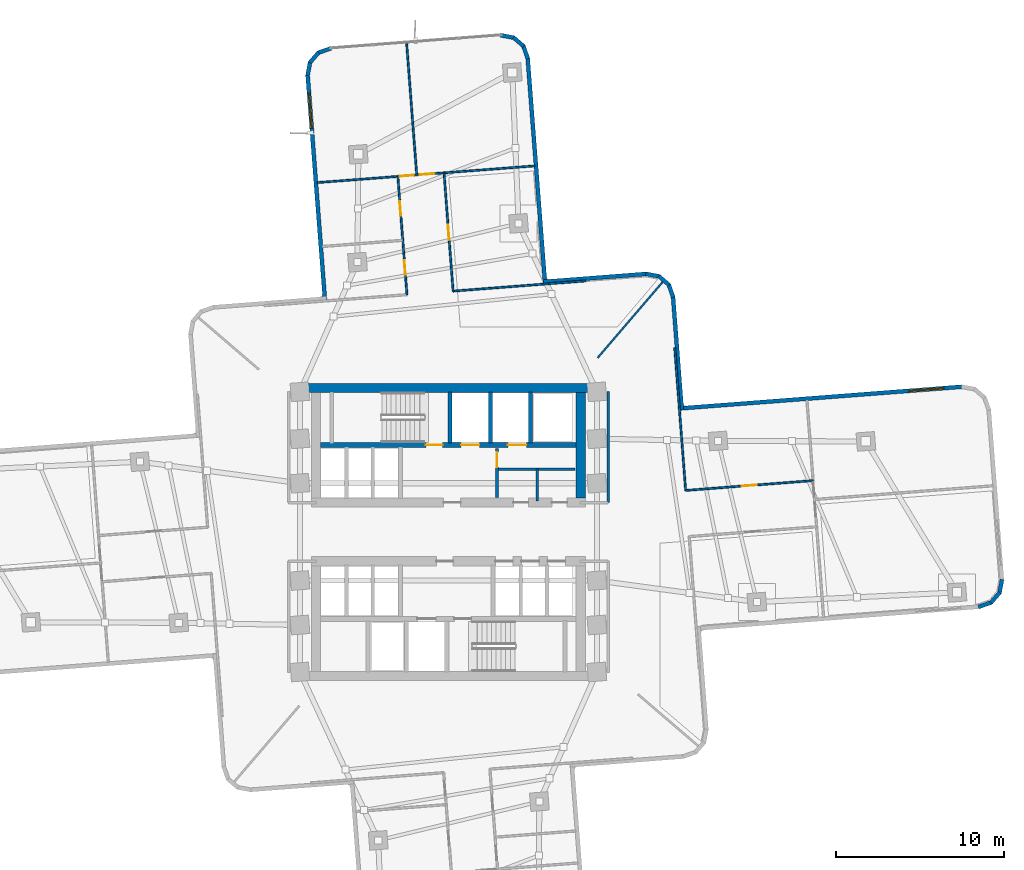
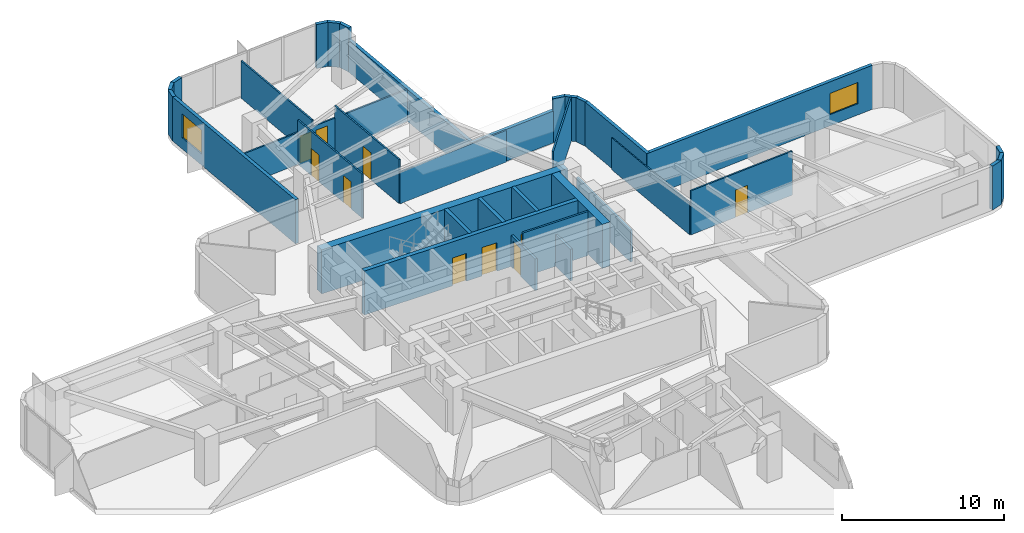
# One storey, part 10 of 15: 35 walls, 10 doors, 2 windows, 12 openings.
"""IFC4 building model written with IfcOpenShell, lengths in metres."""

from ifc_helpers import new_model, si_unit, direction, frame, frame_2d, origin, place, context, subcontext, project, spatial, rectangle, extrude, material, layer, layer_set, type_object, element, fill, save


model = new_model("IFC4")

# Units and contexts
model_context = context("Model", 3, precision=1e-05, world=origin(), true_north=direction((0.0, 1.0)))
body_context = subcontext(model_context, "Body", "Model", "MODEL_VIEW")
ifc_project = project(units=[si_unit("LENGTHUNIT", "METRE"), si_unit("AREAUNIT", "SQUARE_METRE"), si_unit("VOLUMEUNIT", "CUBIC_METRE"), si_unit("PLANEANGLEUNIT", "RADIAN"), si_unit("MASSUNIT", "GRAM", prefix="KILO")], contexts=[model_context])

# Site, building, storey
site_placement = place(None, origin())
site = spatial("IfcSite", under=ifc_project, at=site_placement, CompositionType="ELEMENT")
building_placement = place(site_placement, origin())
building = spatial("IfcBuilding", under=site, at=building_placement, Name="Solmarez Civic Tower", CompositionType="ELEMENT")
storey_placement = place(building_placement, frame((0.0, 0.0, 60.47998046875)))
storey = spatial("IfcBuildingStorey", under=building, at=storey_placement, Name="L15", CompositionType="ELEMENT", Elevation=60.47998046875)

# Walls
ifc_material_1 = material(Name="Concrete C60/75", Category="concrete")
ifc_layer_1 = layer(ifc_material_1, 0.550048828125)
ifc_layer_set_1 = layer_set([ifc_layer_1], Name="Concrete C60/75")
wall_type_1 = type_object("IfcWallType", Name="WALL-CORE-550", PredefinedType="SHEAR", material=ifc_layer_set_1)
wall_1_placement = place(storey_placement, frame((-8.780029296875, 8.5849609375, 0.0), z_axis=(0.0, 0.0, 1.0), x_axis=(1.0, 0.0, 0.0)))
element("IfcWall", 1, at=wall_1_placement, inside=storey, type_object=wall_type_1, Name="L15 Split-Core Structural Wall NCW-N-L15", PredefinedType="SHEAR", context=body_context, shape_type="SweptSolid", body=[
    extrude(rectangle(XDim=17.56005859375, YDim=0.550048828125, at=frame_2d((8.780029296875, 0.0))), origin(), (0.0, 0.0, 1.0), 3.320068359375),
])
wall_2_placement = place(storey_placement, frame((7.89501953125, 8.31005859375, 0.0), z_axis=(0.0, 0.0, 1.0), x_axis=(0.0, -1.0, 0.0)))
element("IfcWall", 2, at=wall_2_placement, inside=storey, type_object=wall_type_1, Name="L15 Split-Core Structural Wall NCW-E-L15", PredefinedType="SHEAR", context=body_context, shape_type="SweptSolid", body=[
    extrude(rectangle(XDim=6.28515625, YDim=0.550048828125, at=frame_2d((3.142578125, 0.0))), origin(), (0.0, 0.0, 1.0), 3.320068359375),
])

# Wall, opening, window
ifc_material_2 = material(Name="Precast concrete C40/50", Category="concrete")
ifc_layer_2 = layer(ifc_material_2, 0.239990234375)
ifc_layer_set_2 = layer_set([ifc_layer_2], Name="Precast concrete C40/50")
wall_type_2 = type_object("IfcWallType", Name="WALL-EXT-240", PredefinedType="SOLIDWALL", material=ifc_layer_set_2)
wall_3_placement = place(storey_placement, frame((-7.362060546875, 13.81005859375, 0.0), z_axis=(0.0, 0.0, 1.0), x_axis=(-0.076653550573, 0.997057788287, 0.0)))
wall_3 = element("IfcWall", 3, at=wall_3_placement, inside=storey, type_object=wall_type_2, Name="L15 Exterior Precast Wall 20", PredefinedType="SOLIDWALL", context=body_context, shape_type="SweptSolid", body=[
    extrude(rectangle(XDim=13.4755859375, YDim=0.239990234375, at=frame_2d((6.73779296875, 0.0))), origin(), (0.0, 0.0, 1.0), 3.320068359375),
])
opening_1_placement = place(wall_3_placement, frame((10.27587890625, 0.0, 0.85009765625)))
opening_1 = element("IfcOpeningElement", 4, at=opening_1_placement, cuts=wall_3, Name="Opening W-07", PredefinedType="OPENING", context=body_context, shape_type="SweptSolid", body=[
    extrude(rectangle(XDim=2.10009765625, YDim=1.800048828125, at=frame_2d((1.050048828125, 0.89990234375))), frame((0.0, 0.1298828125, 0.0), z_axis=(0.0, -1.0, 0.0), x_axis=(1.0, 0.0, 0.0)), (0.0, 0.0, 1.0), 0.260009765625),
])
ifc_material_3 = material(Name="Solar Control Bronze-Tinted Insulating Glass", Category="glass")
window_type_1 = type_object("IfcWindowType", Name="WIN-2100X1800", PartitioningType="SINGLE_PANEL", PredefinedType="WINDOW", material=ifc_material_3)
window_1_placement = place(opening_1_placement, origin())
window_1 = element("IfcWindow", 5, at=window_1_placement, inside=storey, type_object=window_type_1, Name="L15 Exterior Facade Window 20", OverallHeight=1.800048828125, OverallWidth=2.10009765625, PartitioningType="SINGLE_PANEL", PredefinedType="WINDOW", context=body_context, shape_type="SweptSolid", body=[
    extrude(rectangle(XDim=2.10009765625, YDim=1.800048828125, at=frame_2d((1.050048828125, 0.89990234375))), frame((0.0, 0.030029296875, 0.0), z_axis=(0.0, -1.0, 0.0), x_axis=(1.0, 0.0, 0.0)), (0.0, 0.0, 1.0), 0.06005859375),
])
fill(opening_1, window_1)

# Walls
wall_4_placement = place(storey_placement, frame((-8.39794921875, 27.196044921875, 0.0), z_axis=(0.0, 0.0, 1.0), x_axis=(0.184110958028, 0.982905466021, 0.0)))
element("IfcWall", 6, at=wall_4_placement, inside=storey, type_object=wall_type_2, Name="L15 Exterior Precast Wall 21", PredefinedType="SOLIDWALL", context=body_context, shape_type="SweptSolid", body=[
    extrude(rectangle(XDim=0.830078125, YDim=0.239990234375, at=frame_2d((0.4150390625, 0.0))), origin(), (0.0, 0.0, 1.0), 3.320068359375),
])
wall_5_placement = place(storey_placement, frame((-8.26611328125, 27.968017578125, 0.0), z_axis=(0.0, 0.0, 1.0), x_axis=(0.65106299761, 0.759023697352, 0.0)))
element("IfcWall", 7, at=wall_5_placement, inside=storey, type_object=wall_type_2, Name="L15 Exterior Precast Wall 22", PredefinedType="SOLIDWALL", context=body_context, shape_type="SweptSolid", body=[
    extrude(rectangle(XDim=0.814208984375, YDim=0.239990234375, at=frame_2d((0.4072265625, 0.0))), origin(), (0.0, 0.0, 1.0), 3.320068359375),
])
wall_6_placement = place(storey_placement, frame((-7.77587890625, 28.55908203125, 0.0), z_axis=(0.0, 0.0, 1.0), x_axis=(0.943293653353, 0.331959460694, 0.0)))
element("IfcWall", 8, at=wall_6_placement, inside=storey, type_object=wall_type_2, Name="L15 Exterior Precast Wall 23", PredefinedType="SOLIDWALL", context=body_context, shape_type="SweptSolid", body=[
    extrude(rectangle(XDim=0.8310546875, YDim=0.239990234375, at=frame_2d((0.41552734375, 0.0))), origin(), (0.0, 0.0, 1.0), 3.320068359375),
])
wall_7_placement = place(storey_placement, frame((3.096923828125, 29.612060546875, 0.0), z_axis=(0.0, 0.0, 1.0), x_axis=(0.982688894005, -0.185263427582, 0.0)))
element("IfcWall", 9, at=wall_7_placement, inside=storey, type_object=wall_type_2, Name="L15 Exterior Precast Wall 25", PredefinedType="SOLIDWALL", context=body_context, shape_type="SweptSolid", body=[
    extrude(rectangle(XDim=0.83154296875, YDim=0.239990234375, at=frame_2d((0.415771484375, 0.0))), origin(), (0.0, 0.0, 1.0), 3.320068359375),
])
wall_8_placement = place(storey_placement, frame((3.8701171875, 29.47900390625, 0.0), z_axis=(0.0, 0.0, 1.0), x_axis=(0.759616636226, -0.650371098657, 0.0)))
element("IfcWall", 10, at=wall_8_placement, inside=storey, type_object=wall_type_2, Name="L15 Exterior Precast Wall 26", PredefinedType="SOLIDWALL", context=body_context, shape_type="SweptSolid", body=[
    extrude(rectangle(XDim=0.8134765625, YDim=0.239990234375, at=frame_2d((0.40673828125, 0.0))), origin(), (0.0, 0.0, 1.0), 3.320068359375),
])
wall_9_placement = place(storey_placement, frame((4.4609375, 28.989990234375, 0.0), z_axis=(0.0, 0.0, 1.0), x_axis=(0.331174926, -0.943569376564, 0.0)))
element("IfcWall", 11, at=wall_9_placement, inside=storey, type_object=wall_type_2, Name="L15 Exterior Precast Wall 27", PredefinedType="SOLIDWALL", context=body_context, shape_type="SweptSolid", body=[
    extrude(rectangle(XDim=0.830810546875, YDim=0.239990234375, at=frame_2d((0.41552734375, 0.0))), origin(), (0.0, 0.0, 1.0), 3.320068359375),
])
wall_10_placement = place(storey_placement, frame((4.72607421875, 28.2548828125, 0.0), z_axis=(0.0, 0.0, 1.0), x_axis=(0.076726978627, -0.997052140437, 0.0)))
element("IfcWall", 12, at=wall_10_placement, inside=storey, type_object=wall_type_2, Name="L15 Exterior Precast Wall 28", PredefinedType="SOLIDWALL", context=body_context, shape_type="SweptSolid", body=[
    extrude(rectangle(XDim=13.4755859375, YDim=0.239990234375, at=frame_2d((6.73779296875, 0.0))), origin(), (0.0, 0.0, 1.0), 2.401123046875),
])
wall_11_placement = place(storey_placement, frame((5.656982421875, 14.907958984375, 0.0), z_axis=(0.0, 0.0, 1.0), x_axis=(0.997048202977, 0.076778128006, 0.0)))
element("IfcWall", 13, at=wall_11_placement, inside=storey, type_object=wall_type_2, Name="L15 Exterior Precast Wall 31", PredefinedType="SOLIDWALL", context=body_context, shape_type="SweptSolid", body=[
    extrude(rectangle(XDim=6.17529296875, YDim=0.239990234375, at=frame_2d((3.087646484375, 0.0))), origin(), (0.0, 0.0, 1.0), 2.401123046875),
])
wall_12_placement = place(storey_placement, frame((11.763916015625, 15.385009765625, 0.0), z_axis=(0.0, 0.0, 1.0), x_axis=(0.982688894005, -0.185263427582, 0.0)))
element("IfcWall", 14, at=wall_12_placement, inside=storey, type_object=wall_type_2, Name="L15 Exterior Precast Wall 32", PredefinedType="SOLIDWALL", context=body_context, shape_type="SweptSolid", body=[
    extrude(rectangle(XDim=0.83154296875, YDim=0.239990234375, at=frame_2d((0.415771484375, 0.0))), origin(), (0.0, 0.0, 1.0), 3.320068359375),
])
wall_13_placement = place(storey_placement, frame((12.537109375, 15.251953125, 0.0), z_axis=(0.0, 0.0, 1.0), x_axis=(0.759616636226, -0.650371098657, 0.0)))
element("IfcWall", 15, at=wall_13_placement, inside=storey, type_object=wall_type_2, Name="L15 Exterior Precast Wall 33", PredefinedType="SOLIDWALL", context=body_context, shape_type="SweptSolid", body=[
    extrude(rectangle(XDim=0.8134765625, YDim=0.239990234375, at=frame_2d((0.40673828125, 0.0))), origin(), (0.0, 0.0, 1.0), 3.320068359375),
])
wall_14_placement = place(storey_placement, frame((13.1279296875, 14.762939453125, 0.0), z_axis=(0.0, 0.0, 1.0), x_axis=(0.331174926, -0.943569376564, 0.0)))
element("IfcWall", 16, at=wall_14_placement, inside=storey, type_object=wall_type_2, Name="L15 Exterior Precast Wall 34", PredefinedType="SOLIDWALL", context=body_context, shape_type="SweptSolid", body=[
    extrude(rectangle(XDim=0.830810546875, YDim=0.239990234375, at=frame_2d((0.41552734375, 0.0))), origin(), (0.0, 0.0, 1.0), 3.320068359375),
])
wall_15_placement = place(storey_placement, frame((13.39306640625, 14.028076171875, 0.0), z_axis=(0.0, 0.0, 1.0), x_axis=(0.076754366588, -0.997050032451, 0.0)))
element("IfcWall", 17, at=wall_15_placement, inside=storey, type_object=wall_type_2, Name="L15 Exterior Precast Wall 35", PredefinedType="SOLIDWALL", context=body_context, shape_type="SweptSolid", body=[
    extrude(rectangle(XDim=6.775146484375, YDim=0.239990234375, at=frame_2d((3.3876953125, 0.0))), origin(), (0.0, 0.0, 1.0), 3.320068359375),
])

# Wall, opening, window
wall_16_placement = place(storey_placement, frame((13.81005859375, 7.362060546875, 0.0), z_axis=(0.0, 0.0, 1.0), x_axis=(0.997055761943, 0.076679903335, 0.0)))
wall_16 = element("IfcWall", 18, at=wall_16_placement, inside=storey, type_object=wall_type_2, Name="L15 Exterior Precast Wall 38", PredefinedType="SOLIDWALL", context=body_context, shape_type="SweptSolid", body=[
    extrude(rectangle(XDim=16.874755859375, YDim=0.239990234375, at=frame_2d((8.4375, 0.0))), origin(), (0.0, 0.0, 1.0), 3.320068359375),
])
opening_2_placement = place(wall_16_placement, frame((13.675048828125, 0.0, 0.85009765625)))
opening_2 = element("IfcOpeningElement", 19, at=opening_2_placement, cuts=wall_16, Name="Opening W-11", PredefinedType="OPENING", context=body_context, shape_type="SweptSolid", body=[
    extrude(rectangle(XDim=2.10009765625, YDim=1.60009765625, at=frame_2d((1.050048828125, 0.800048828125))), frame((0.0, 0.1298828125, 0.0), z_axis=(0.0, -1.0, 0.0), x_axis=(1.0, 0.0, 0.0)), (0.0, 0.0, 1.0), 0.260009765625),
])
window_type_2 = type_object("IfcWindowType", Name="WIN-2100X1600", PartitioningType="SINGLE_PANEL", PredefinedType="WINDOW", material=ifc_material_3)
window_2_placement = place(opening_2_placement, origin())
window_2 = element("IfcWindow", 20, at=window_2_placement, inside=storey, type_object=window_type_2, Name="L15 Exterior Facade Window 38", OverallHeight=1.60009765625, OverallWidth=2.10009765625, PartitioningType="SINGLE_PANEL", PredefinedType="WINDOW", context=body_context, shape_type="SweptSolid", body=[
    extrude(rectangle(XDim=2.10009765625, YDim=1.60009765625, at=frame_2d((1.050048828125, 0.800048828125))), frame((0.0, 0.030029296875, 0.0), z_axis=(0.0, -1.0, 0.0), x_axis=(1.0, 0.0, 0.0)), (0.0, 0.0, 1.0), 0.06005859375),
])
fill(opening_2, window_2)

# Walls
wall_17_placement = place(storey_placement, frame((33.001953125, -2.8359375, 0.0), z_axis=(0.0, 0.0, 1.0), x_axis=(-0.185263427582, -0.982688894005, 0.0)))
element("IfcWall", 21, at=wall_17_placement, inside=storey, type_object=wall_type_2, Name="L15 Exterior Precast Wall 43", PredefinedType="SOLIDWALL", context=body_context, shape_type="SweptSolid", body=[
    extrude(rectangle(XDim=0.83154296875, YDim=0.239990234375, at=frame_2d((0.415771484375, 0.0))), origin(), (0.0, 0.0, 1.0), 3.320068359375),
])
wall_18_placement = place(storey_placement, frame((32.868896484375, -3.60888671875, 0.0), z_axis=(0.0, 0.0, 1.0), x_axis=(-0.650049601962, -0.759891778471, 0.0)))
element("IfcWall", 22, at=wall_18_placement, inside=storey, type_object=wall_type_2, Name="L15 Exterior Precast Wall 44", PredefinedType="SOLIDWALL", context=body_context, shape_type="SweptSolid", body=[
    extrude(rectangle(XDim=0.8134765625, YDim=0.239990234375, at=frame_2d((0.40673828125, 0.0))), origin(), (0.0, 0.0, 1.0), 3.320068359375),
])
wall_19_placement = place(storey_placement, frame((32.3798828125, -4.199951171875, 0.0), z_axis=(0.0, 0.0, 1.0), x_axis=(-0.943569376564, -0.331174926, 0.0)))
element("IfcWall", 23, at=wall_19_placement, inside=storey, type_object=wall_type_2, Name="L15 Exterior Precast Wall 45", PredefinedType="SOLIDWALL", context=body_context, shape_type="SweptSolid", body=[
    extrude(rectangle(XDim=0.830810546875, YDim=0.239990234375, at=frame_2d((0.41552734375, 0.0))), origin(), (0.0, 0.0, 1.0), 3.320068359375),
])
ifc_material_4 = material(Name="Gypsum Board Acoustic Steel-Stud Partition", Category="steel")
ifc_layer_3 = layer(ifc_material_4, 0.14990234375)
ifc_layer_set_3 = layer_set([ifc_layer_3], Name="Gypsum Board Acoustic Steel-Stud Partition")
wall_type_3 = type_object("IfcWallType", Name="WALL-INT-FIRE-150", PredefinedType="PARTITIONING", material=ifc_layer_set_3)
wall_20_placement = place(storey_placement, frame((9.52001953125, 1.75, 0.0), z_axis=(0.0, 0.0, 1.0), x_axis=(0.0, 1.0, 0.0)))
element("IfcWall", 24, at=wall_20_placement, inside=storey, type_object=wall_type_3, Name="L15 Interior Partition CHW-L15-EN1", PredefinedType="PARTITIONING", context=body_context, shape_type="SweptSolid", body=[
    extrude(rectangle(XDim=6.6298828125, YDim=0.14990234375, at=frame_2d((3.31494140625, 0.0))), origin(), (0.0, 0.0, 1.0), 2.401123046875),
])
ifc_layer_4 = layer(ifc_material_4, 0.110107421875)
ifc_layer_set_4 = layer_set([ifc_layer_4], Name="Gypsum Board Acoustic Steel-Stud Partition")
wall_type_4 = type_object("IfcWallType", Name="WALL-INT-PART-110", PredefinedType="PARTITIONING", material=ifc_layer_set_4)
wall_21_placement = place(storey_placement, frame((8.89697265625, 10.3798828125, 0.0), z_axis=(0.0, 0.0, 1.0), x_axis=(0.650777932984, 0.759268122564, 0.0)))
element("IfcWall", 25, at=wall_21_placement, inside=storey, type_object=wall_type_4, Name="L15 Interior Partition PT-L15-QDIV-1", PredefinedType="PARTITIONING", context=body_context, shape_type="SweptSolid", body=[
    extrude(rectangle(XDim=5.983642578125, YDim=0.110107421875, at=frame_2d((2.99169921875, 0.0))), origin(), (0.0, 0.0, 1.0), 3.320068359375),
])
wall_22_placement = place(storey_placement, frame((14.14306640625, 2.4619140625, 0.0), z_axis=(0.0, 0.0, 1.0), x_axis=(-0.076722700704, 0.997052469631, 0.0)))
element("IfcWall", 26, at=wall_22_placement, inside=storey, type_object=wall_type_4, Name="L15 Interior Partition PT-L15-E-EFL", PredefinedType="PARTITIONING", context=body_context, shape_type="SweptSolid", body=[
    extrude(rectangle(XDim=8.55029296875, YDim=0.110107421875, at=frame_2d((4.275146484375, 0.0))), origin(), (0.0, 0.0, 1.0), 2.401123046875),
])

# Wall, opening, door
wall_23_placement = place(storey_placement, frame((21.739990234375, 3.056884765625, 0.0), z_axis=(0.0, 0.0, 1.0), x_axis=(-0.997049394946, -0.076762647418, 0.0)))
wall_23 = element("IfcWall", 27, at=wall_23_placement, inside=storey, type_object=wall_type_4, Name="L15 Interior Partition PT-L15-E-SL", PredefinedType="PARTITIONING", context=body_context, shape_type="SweptSolid", body=[
    extrude(rectangle(XDim=7.620361328125, YDim=0.110107421875, at=frame_2d((3.81005859375, 0.0))), origin(), (0.0, 0.0, 1.0), 3.320068359375),
])
opening_3_placement = place(wall_23_placement, frame((3.360107421875, 0.0, 0.0)))
opening_3 = element("IfcOpeningElement", 28, at=opening_3_placement, cuts=wall_23, Name="Opening D-08", PredefinedType="OPENING", context=body_context, shape_type="SweptSolid", body=[
    extrude(rectangle(XDim=0.89990234375, YDim=2.06005859375, at=frame_2d((0.449951171875, 1.030029296875))), frame((0.0, 0.06494140625, 0.0), z_axis=(0.0, -1.0, 0.0), x_axis=(1.0, 0.0, 0.0)), (0.0, 0.0, 1.0), 0.130126953125),
])
ifc_material_5 = material(Name="Solid-Core Timber Office Door", Category="wood")
door_type_1 = type_object("IfcDoorType", Name="DOOR-INT-900", OperationType="NOTDEFINED", PredefinedType="DOOR", material=ifc_material_5)
door_1_placement = place(opening_3_placement, origin())
door_1 = element("IfcDoor", 29, at=door_1_placement, inside=storey, type_object=door_type_1, Name="L15 Staff Dining Canteen East Door", OperationType="SINGLE_SWING_LEFT", OverallHeight=2.06005859375, OverallWidth=0.89990234375, PredefinedType="DOOR", context=body_context, shape_type="SweptSolid", body=[
    extrude(rectangle(XDim=0.89990234375, YDim=2.06005859375, at=frame_2d((0.449951171875, 1.030029296875))), frame((0.0, 0.02490234375, 0.0), z_axis=(0.0, -1.0, 0.0), x_axis=(1.0, 0.0, 0.0)), (0.0, 0.0, 1.0), 0.050048828125),
])
fill(opening_3, door_1)

# Wall
wall_24_placement = place(storey_placement, frame((8.197021484375, 14.962890625, 0.0), z_axis=(0.0, 0.0, 1.0), x_axis=(-0.99705358226, -0.076708240121, 0.0)))
element("IfcWall", 30, at=wall_24_placement, inside=storey, type_object=wall_type_4, Name="L15 Interior Partition PT-L15-N-EFR", PredefinedType="PARTITIONING", context=body_context, shape_type="SweptSolid", body=[
    extrude(rectangle(XDim=7.950439453125, YDim=0.110107421875, at=frame_2d((3.97509765625, 0.0))), origin(), (0.0, 0.0, 1.0), 2.401123046875),
])

# Wall, openings, doors
wall_25_placement = place(storey_placement, frame((-3.014892578125, 21.19091796875, 0.0), z_axis=(0.0, 0.0, 1.0), x_axis=(0.076802129822, -0.997046354416, 0.0)))
wall_25 = element("IfcWall", 31, at=wall_25_placement, inside=storey, type_object=wall_type_4, Name="L15 Interior Partition PT-L15-N-SL", PredefinedType="PARTITIONING", context=body_context, shape_type="SweptSolid", body=[
    extrude(rectangle(XDim=7.06982421875, YDim=0.110107421875, at=frame_2d((3.534912109375, 0.0))), origin(), (0.0, 0.0, 1.0), 3.320068359375),
])
opening_4_placement = place(wall_25_placement, frame((5.014892578125, 0.0, 0.0)))
opening_4 = element("IfcOpeningElement", 32, at=opening_4_placement, cuts=wall_25, Name="Opening D-14", PredefinedType="OPENING", context=body_context, shape_type="SweptSolid", body=[
    extrude(rectangle(XDim=0.860107421875, YDim=2.0400390625, at=frame_2d((0.43017578125, 1.02001953125))), frame((0.0, 0.06494140625, 0.0), z_axis=(0.0, -1.0, 0.0), x_axis=(1.0, 0.0, 0.0)), (0.0, 0.0, 1.0), 0.130126953125),
])
opening_5_placement = place(wall_25_placement, frame((1.47998046875, 0.0, 0.0)))
opening_5 = element("IfcOpeningElement", 33, at=opening_5_placement, cuts=wall_25, Name="Opening D-14", PredefinedType="OPENING", context=body_context, shape_type="SweptSolid", body=[
    extrude(rectangle(XDim=0.860107421875, YDim=2.0400390625, at=frame_2d((0.43017578125, 1.02001953125))), frame((0.0, 0.06494140625, 0.0), z_axis=(0.0, -1.0, 0.0), x_axis=(1.0, 0.0, 0.0)), (0.0, 0.0, 1.0), 0.130126953125),
])
ifc_material_6 = material(Name="Timber Storage and Pantry Door", Category="wood")
door_type_2 = type_object("IfcDoorType", Name="DOOR-INT-850", OperationType="NOTDEFINED", PredefinedType="DOOR", material=ifc_material_6)
door_2_placement = place(opening_4_placement, origin())
door_2 = element("IfcDoor", 34, at=door_2_placement, inside=storey, type_object=door_type_2, Name="L15 Catering Servery First North Door", OperationType="SINGLE_SWING_LEFT", OverallHeight=2.0400390625, OverallWidth=0.860107421875, PredefinedType="DOOR", context=body_context, shape_type="SweptSolid", body=[
    extrude(rectangle(XDim=0.860107421875, YDim=2.0400390625, at=frame_2d((0.43017578125, 1.02001953125))), frame((0.0, 0.02490234375, 0.0), z_axis=(0.0, -1.0, 0.0), x_axis=(1.0, 0.0, 0.0)), (0.0, 0.0, 1.0), 0.050048828125),
])
fill(opening_4, door_2)
door_3_placement = place(opening_5_placement, origin())
door_3 = element("IfcDoor", 35, at=door_3_placement, inside=storey, type_object=door_type_2, Name="L15 Delegates Sitting Lounge Second North Door", OperationType="SINGLE_SWING_RIGHT", OverallHeight=2.0400390625, OverallWidth=0.860107421875, PredefinedType="DOOR", context=body_context, shape_type="SweptSolid", body=[
    extrude(rectangle(XDim=0.860107421875, YDim=2.0400390625, at=frame_2d((0.43017578125, 1.02001953125))), frame((0.0, 0.02490234375, 0.0), z_axis=(0.0, -1.0, 0.0), x_axis=(1.0, 0.0, 0.0)), (0.0, 0.0, 1.0), 0.050048828125),
])
fill(opening_5, door_3)

# Wall, opening, door
wall_26_placement = place(storey_placement, frame((0.280029296875, 14.35400390625, 0.0), z_axis=(0.0, 0.0, 1.0), x_axis=(-0.076799485513, 0.997046558103, 0.0)))
wall_26 = element("IfcWall", 36, at=wall_26_placement, inside=storey, type_object=wall_type_4, Name="L15 Interior Partition PT-L15-N-SR", PredefinedType="PARTITIONING", context=body_context, shape_type="SweptSolid", body=[
    extrude(rectangle(XDim=7.070068359375, YDim=0.110107421875, at=frame_2d((3.53515625, 0.0))), origin(), (0.0, 0.0, 1.0), 3.320068359375),
])
opening_6_placement = place(wall_26_placement, frame((3.054931640625, 0.0, 0.0)))
opening_6 = element("IfcOpeningElement", 37, at=opening_6_placement, cuts=wall_26, Name="Opening D-08", PredefinedType="OPENING", context=body_context, shape_type="SweptSolid", body=[
    extrude(rectangle(XDim=0.89990234375, YDim=2.06005859375, at=frame_2d((0.449951171875, 1.030029296875))), frame((0.0, 0.06494140625, 0.0), z_axis=(0.0, -1.0, 0.0), x_axis=(1.0, 0.0, 0.0)), (0.0, 0.0, 1.0), 0.130126953125),
])
door_4_placement = place(opening_6_placement, origin())
door_4 = element("IfcDoor", 38, at=door_4_placement, inside=storey, type_object=door_type_1, Name="L15 Civic Multi-Purpose Room Third North Door", OperationType="SINGLE_SWING_RIGHT", OverallHeight=2.06005859375, OverallWidth=0.89990234375, PredefinedType="DOOR", context=body_context, shape_type="SweptSolid", body=[
    extrude(rectangle(XDim=0.89990234375, YDim=2.06005859375, at=frame_2d((0.449951171875, 1.030029296875))), frame((0.0, 0.02490234375, 0.0), z_axis=(0.0, -1.0, 0.0), x_axis=(1.0, 0.0, 0.0)), (0.0, 0.0, 1.0), 0.050048828125),
])
fill(opening_6, door_4)

# Wall
wall_27_placement = place(storey_placement, frame((-1.89306640625, 21.337890625, 0.0), z_axis=(0.0, 0.0, 1.0), x_axis=(-0.076648474593, 0.997058178514, 0.0)))
element("IfcWall", 39, at=wall_27_placement, inside=storey, type_object=wall_type_4, Name="L15 Interior Partition PT-L15-N-TM", PredefinedType="PARTITIONING", context=body_context, shape_type="SweptSolid", body=[
    extrude(rectangle(XDim=7.775146484375, YDim=0.110107421875, at=frame_2d((3.8876953125, 0.0))), origin(), (0.0, 0.0, 1.0), 2.81201171875),
])

# Wall, openings, doors
wall_28_placement = place(storey_placement, frame((-7.81494140625, 20.822021484375, 0.0), z_axis=(0.0, 0.0, 1.0), x_axis=(0.997055259391, 0.076686437656, 0.0)))
wall_28 = element("IfcWall", 40, at=wall_28_placement, inside=storey, type_object=wall_type_4, Name="L15 Interior Partition PT-L15-N-END", PredefinedType="PARTITIONING", context=body_context, shape_type="SweptSolid", body=[
    extrude(rectangle(XDim=12.9892578125, YDim=0.110107421875, at=frame_2d((6.49462890625, 0.0))), origin(), (0.0, 0.0, 1.0), 2.401123046875),
])
opening_7_placement = place(wall_28_placement, frame((6.114990234375, 0.0, 0.0)))
opening_7 = element("IfcOpeningElement", 41, at=opening_7_placement, cuts=wall_28, Name="Opening D-14", PredefinedType="OPENING", context=body_context, shape_type="SweptSolid", body=[
    extrude(rectangle(XDim=0.860107421875, YDim=2.0400390625, at=frame_2d((0.43017578125, 1.02001953125))), frame((0.0, 0.06494140625, 0.0), z_axis=(0.0, -1.0, 0.0), x_axis=(1.0, 0.0, 0.0)), (0.0, 0.0, 1.0), 0.130126953125),
])
opening_8_placement = place(wall_28_placement, frame((4.9150390625, 0.0, 0.0)))
opening_8 = element("IfcOpeningElement", 42, at=opening_8_placement, cuts=wall_28, Name="Opening D-14", PredefinedType="OPENING", context=body_context, shape_type="SweptSolid", body=[
    extrude(rectangle(XDim=0.860107421875, YDim=2.0400390625, at=frame_2d((0.43017578125, 1.02001953125))), frame((0.0, 0.06494140625, 0.0), z_axis=(0.0, -1.0, 0.0), x_axis=(1.0, 0.0, 0.0)), (0.0, 0.0, 1.0), 0.130126953125),
])
door_5_placement = place(opening_7_placement, origin())
door_5 = element("IfcDoor", 43, at=door_5_placement, inside=storey, type_object=door_type_2, Name="L15 Staff Dining Canteen Sixth North Door", OperationType="SINGLE_SWING_RIGHT", OverallHeight=2.0400390625, OverallWidth=0.860107421875, PredefinedType="DOOR", context=body_context, shape_type="SweptSolid", body=[
    extrude(rectangle(XDim=0.860107421875, YDim=2.0400390625, at=frame_2d((0.43017578125, 1.02001953125))), frame((0.0, 0.02490234375, 0.0), z_axis=(0.0, -1.0, 0.0), x_axis=(1.0, 0.0, 0.0)), (0.0, 0.0, 1.0), 0.050048828125),
])
fill(opening_7, door_5)
door_6_placement = place(opening_8_placement, origin())
door_6 = element("IfcDoor", 44, at=door_6_placement, inside=storey, type_object=door_type_2, Name="L15 Civic Multi-Purpose Room Fifth North Door", OperationType="SINGLE_SWING_LEFT", OverallHeight=2.0400390625, OverallWidth=0.860107421875, PredefinedType="DOOR", context=body_context, shape_type="SweptSolid", body=[
    extrude(rectangle(XDim=0.860107421875, YDim=2.0400390625, at=frame_2d((0.43017578125, 1.02001953125))), frame((0.0, 0.02490234375, 0.0), z_axis=(0.0, -1.0, 0.0), x_axis=(1.0, 0.0, 0.0)), (0.0, 0.0, 1.0), 0.050048828125),
])
fill(opening_8, door_6)

# Wall, opening, door
ifc_layer_5 = layer(ifc_material_4, 0.159912109375)
ifc_layer_set_5 = layer_set([ifc_layer_5], Name="Gypsum Board Acoustic Steel-Stud Partition")
wall_type_5 = type_object("IfcWallType", Name="WALL-INT-SHAFT-160", PredefinedType="PARTITIONING", material=ifc_layer_set_5)
wall_29_placement = place(storey_placement, frame((2.89990234375, 2.0400390625, 0.0), z_axis=(0.0, 0.0, 1.0), x_axis=(0.0, 1.0, 0.0)))
wall_29 = element("IfcWall", 45, at=wall_29_placement, inside=storey, type_object=wall_type_5, Name="L15 Interior Partition SHW-NL2-L15", PredefinedType="PARTITIONING", context=body_context, shape_type="SweptSolid", body=[
    extrude(rectangle(XDim=2.93994140625, YDim=0.159912109375, at=frame_2d((1.469970703125, 0.0))), origin(), (0.0, 0.0, 1.0), 2.385009765625),
])
opening_9_placement = place(wall_29_placement, frame((1.820068359375, 0.0, 0.0)))
opening_9 = element("IfcOpeningElement", 46, at=opening_9_placement, cuts=wall_29, Name="Opening D-09", PredefinedType="OPENING", context=body_context, shape_type="SweptSolid", body=[
    extrude(rectangle(XDim=0.89990234375, YDim=2.06005859375, at=frame_2d((0.449951171875, 1.030029296875))), frame((0.0, 0.08984375, 0.0), z_axis=(0.0, -1.0, 0.0), x_axis=(1.0, 0.0, 0.0)), (0.0, 0.0, 1.0), 0.179931640625),
])
ifc_material_7 = material(Name="Fire-Rated Service Core Door", Category="wood")
door_type_3 = type_object("IfcDoorType", Name="DOOR-FD60-900", OperationType="NOTDEFINED", PredefinedType="DOOR", material=ifc_material_7)
door_7_placement = place(opening_9_placement, origin())
door_7 = element("IfcDoor", 47, at=door_7_placement, inside=storey, type_object=door_type_3, Name="L15 Service Lift Lobby Door", OperationType="SINGLE_SWING_LEFT", OverallHeight=2.06005859375, OverallWidth=0.89990234375, PredefinedType="DOOR", context=body_context, shape_type="SweptSolid", body=[
    extrude(rectangle(XDim=0.89990234375, YDim=2.06005859375, at=frame_2d((0.449951171875, 1.030029296875))), frame((0.0, 0.02490234375, 0.0), z_axis=(0.0, -1.0, 0.0), x_axis=(1.0, 0.0, 0.0)), (0.0, 0.0, 1.0), 0.050048828125),
])
fill(opening_9, door_7)

# Walls
ifc_layer_6 = layer(ifc_material_4, 0.137939453125)
ifc_layer_set_6 = layer_set([ifc_layer_6], Name="Gypsum Board Acoustic Steel-Stud Partition")
wall_type_6 = type_object("IfcWallType", Name="WALL-INT-WET-140", PredefinedType="PARTITIONING", material=ifc_layer_set_6)
wall_30_placement = place(storey_placement, frame((2.89990234375, 3.739990234375, 0.0), z_axis=(0.0, 0.0, 1.0), x_axis=(1.0, 0.0, 0.0)))
element("IfcWall", 48, at=wall_30_placement, inside=storey, type_object=wall_type_6, Name="L15 Interior Partition SHW-SVH-L15", PredefinedType="PARTITIONING", context=body_context, shape_type="SweptSolid", body=[
    extrude(rectangle(XDim=4.650146484375, YDim=0.137939453125, at=frame_2d((2.3251953125, 0.0))), origin(), (0.0, 0.0, 1.0), 3.320068359375),
])
wall_31_placement = place(storey_placement, frame((5.300048828125, 1.85009765625, 0.0), z_axis=(0.0, 0.0, 1.0), x_axis=(0.0, 1.0, 0.0)))
element("IfcWall", 49, at=wall_31_placement, inside=storey, type_object=wall_type_6, Name="L15 Interior Partition PT-NCSV-L15", PredefinedType="PARTITIONING", context=body_context, shape_type="SweptSolid", body=[
    extrude(rectangle(XDim=1.889892578125, YDim=0.137939453125, at=frame_2d((0.94482421875, 0.0))), origin(), (0.0, 0.0, 1.0), 2.385009765625),
])

# Wall, openings, doors
ifc_material_8 = material(Name="Concrete C50/60", Category="concrete")
ifc_layer_7 = layer(ifc_material_8, 0.300048828125)
ifc_layer_set_7 = layer_set([ifc_layer_7], Name="Concrete C50/60")
wall_type_7 = type_object("IfcWallType", Name="WALL-STR-300", PredefinedType="SOLIDWALL", material=ifc_layer_set_7)
wall_32_placement = place(storey_placement, frame((7.6201171875, 5.179931640625, 0.0), z_axis=(0.0, 0.0, 1.0), x_axis=(-1.0, 0.0, 0.0)))
wall_32 = element("IfcWall", 50, at=wall_32_placement, inside=storey, type_object=wall_type_7, Name="L15 Split-Core Structural Wall NCW-M-L15", PredefinedType="SOLIDWALL", context=body_context, shape_type="SweptSolid", body=[
    extrude(rectangle(XDim=15.240234375, YDim=0.300048828125, at=frame_2d((7.6201171875, 0.0))), origin(), (0.0, 0.0, 1.0), 3.320068359375),
])
opening_10_placement = place(wall_32_placement, frame((5.77001953125, 0.0, 0.0)))
opening_10 = element("IfcOpeningElement", 51, at=opening_10_placement, cuts=wall_32, Name="Opening LD-02", PredefinedType="OPENING", context=body_context, shape_type="SweptSolid", body=[
    extrude(rectangle(XDim=1.10009765625, YDim=2.14990234375, at=frame_2d((0.550048828125, 1.074951171875))), frame((0.0, 0.159912109375, 0.0), z_axis=(0.0, -1.0, 0.0), x_axis=(1.0, 0.0, 0.0)), (0.0, 0.0, 1.0), 0.320068359375),
])
opening_11_placement = place(wall_32_placement, frame((2.969970703125, 0.0, 0.0)))
opening_11 = element("IfcOpeningElement", 52, at=opening_11_placement, cuts=wall_32, Name="Opening LD-03", PredefinedType="OPENING", context=body_context, shape_type="SweptSolid", body=[
    extrude(rectangle(XDim=1.10009765625, YDim=2.14990234375, at=frame_2d((0.550048828125, 1.074951171875))), frame((0.0, 0.159912109375, 0.0), z_axis=(0.0, -1.0, 0.0), x_axis=(1.0, 0.0, 0.0)), (0.0, 0.0, 1.0), 0.320068359375),
])
opening_12_placement = place(wall_32_placement, frame((7.969970703125, 0.0, 0.0)))
opening_12 = element("IfcOpeningElement", 53, at=opening_12_placement, cuts=wall_32, Name="Opening D-05", PredefinedType="OPENING", context=body_context, shape_type="SweptSolid", body=[
    extrude(rectangle(XDim=1.0, YDim=2.10009765625, at=frame_2d((0.5, 1.050048828125))), frame((0.0, 0.159912109375, 0.0), z_axis=(0.0, -1.0, 0.0), x_axis=(1.0, 0.0, 0.0)), (0.0, 0.0, 1.0), 0.320068359375),
])
ifc_material_9 = material(Name="Fire-Rated Stairwell Exit Door", Category="wood")
door_type_4 = type_object("IfcDoorType", Name="DOOR-FD90-1000", OperationType="NOTDEFINED", PredefinedType="DOOR", material=ifc_material_9)
door_8_placement = place(opening_12_placement, origin())
door_8 = element("IfcDoor", 54, at=door_8_placement, inside=storey, type_object=door_type_4, Name="L15 North Exit Stair Door ST-1", OperationType="SINGLE_SWING_RIGHT", OverallHeight=2.10009765625, OverallWidth=1.0, PredefinedType="DOOR", context=body_context, shape_type="SweptSolid", body=[
    extrude(rectangle(XDim=1.0, YDim=2.10009765625, at=frame_2d((0.5, 1.050048828125))), frame((0.0, 0.02490234375, 0.0), z_axis=(0.0, -1.0, 0.0), x_axis=(1.0, 0.0, 0.0)), (0.0, 0.0, 1.0), 0.050048828125),
])
fill(opening_12, door_8)
ifc_material_10 = material(Name="Stainless Firefighting Lift Landing Sliding Door", Category="aluminium")
door_type_5 = type_object("IfcDoorType", Name="DOOR-LD-FF-1100", OperationType="DOUBLE_DOOR_SLIDING", PredefinedType="DOOR", material=ifc_material_10)
door_9_placement = place(opening_10_placement, origin())
door_9 = element("IfcDoor", 55, at=door_9_placement, inside=storey, type_object=door_type_5, Name="L15 Firefighting Lift Landing Door FFL-1", OperationType="DOUBLE_DOOR_SLIDING", OverallHeight=2.14990234375, OverallWidth=1.10009765625, PredefinedType="DOOR", context=body_context, shape_type="SweptSolid", body=[
    extrude(rectangle(XDim=1.10009765625, YDim=2.14990234375, at=frame_2d((0.550048828125, 1.074951171875))), frame((0.0, 0.02490234375, 0.0), z_axis=(0.0, -1.0, 0.0), x_axis=(1.0, 0.0, 0.0)), (0.0, 0.0, 1.0), 0.050048828125),
])
fill(opening_10, door_9)
ifc_material_11 = material(Name="Stainless Stretcher Lift Landing Sliding Door", Category="aluminium")
door_type_6 = type_object("IfcDoorType", Name="DOOR-LD-SV-1100", OperationType="DOUBLE_DOOR_SLIDING", PredefinedType="DOOR", material=ifc_material_11)
door_10_placement = place(opening_11_placement, origin())
door_10 = element("IfcDoor", 56, at=door_10_placement, inside=storey, type_object=door_type_6, Name="L15 Service Stretcher Lift Landing Door SVL-1", OperationType="DOUBLE_DOOR_SLIDING", OverallHeight=2.14990234375, OverallWidth=1.10009765625, PredefinedType="DOOR", context=body_context, shape_type="SweptSolid", body=[
    extrude(rectangle(XDim=1.10009765625, YDim=2.14990234375, at=frame_2d((0.550048828125, 1.074951171875))), frame((0.0, 0.02490234375, 0.0), z_axis=(0.0, -1.0, 0.0), x_axis=(1.0, 0.0, 0.0)), (0.0, 0.0, 1.0), 0.050048828125),
])
fill(opening_11, door_10)

# Walls
for number, where, z_axis, x_axis, name in (
    (57, (0.10009765625, 5.300048828125, 0.0), (0.0, 0.0, 1.0), (0.0, 1.0, 0.0), "L15 Split-Core Structural Wall SHW-N1-L15"),
    (58, (2.5, 5.300048828125, 0.0), (0.0, 0.0, 1.0), (0.0, 1.0, 0.0), "L15 Split-Core Structural Wall SHW-N2-L15"),
    (59, (4.89990234375, 5.300048828125, 0.0), (0.0, 0.0, 1.0), (0.0, 1.0, 0.0), "L15 Split-Core Structural Wall SHW-N3-L15"),
):
    element("IfcWall", number, at=place(storey_placement, frame(where, z_axis=z_axis, x_axis=x_axis)), inside=storey, type_object=wall_type_7, Name=name, PredefinedType="SOLIDWALL", context=body_context, shape_type="SweptSolid", body=[
        extrude(rectangle(XDim=3.0400390625, YDim=0.25, at=frame_2d((1.52001953125, 0.0))), origin(), (0.0, 0.0, 1.0), 3.320068359375),
    ])

save(model, "model.ifc")
